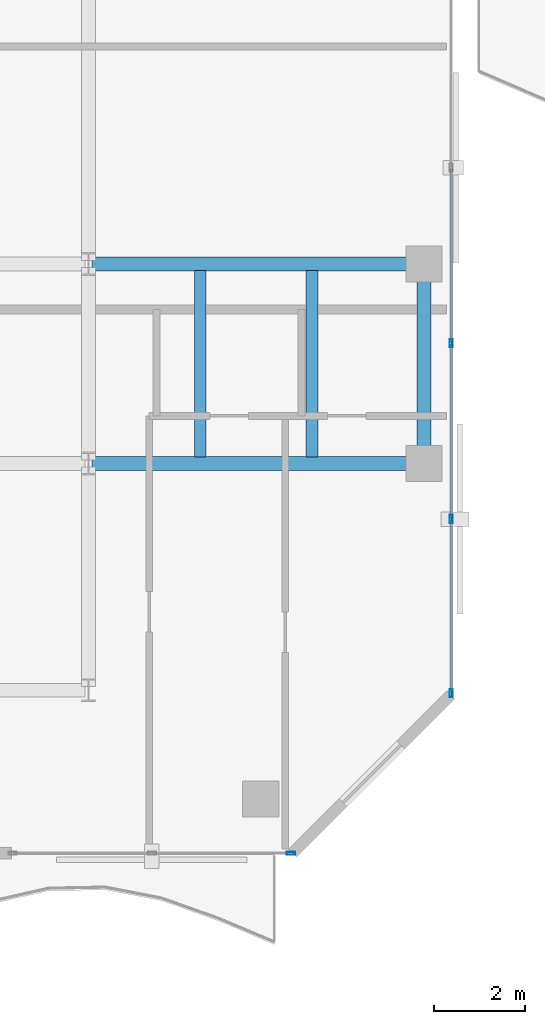
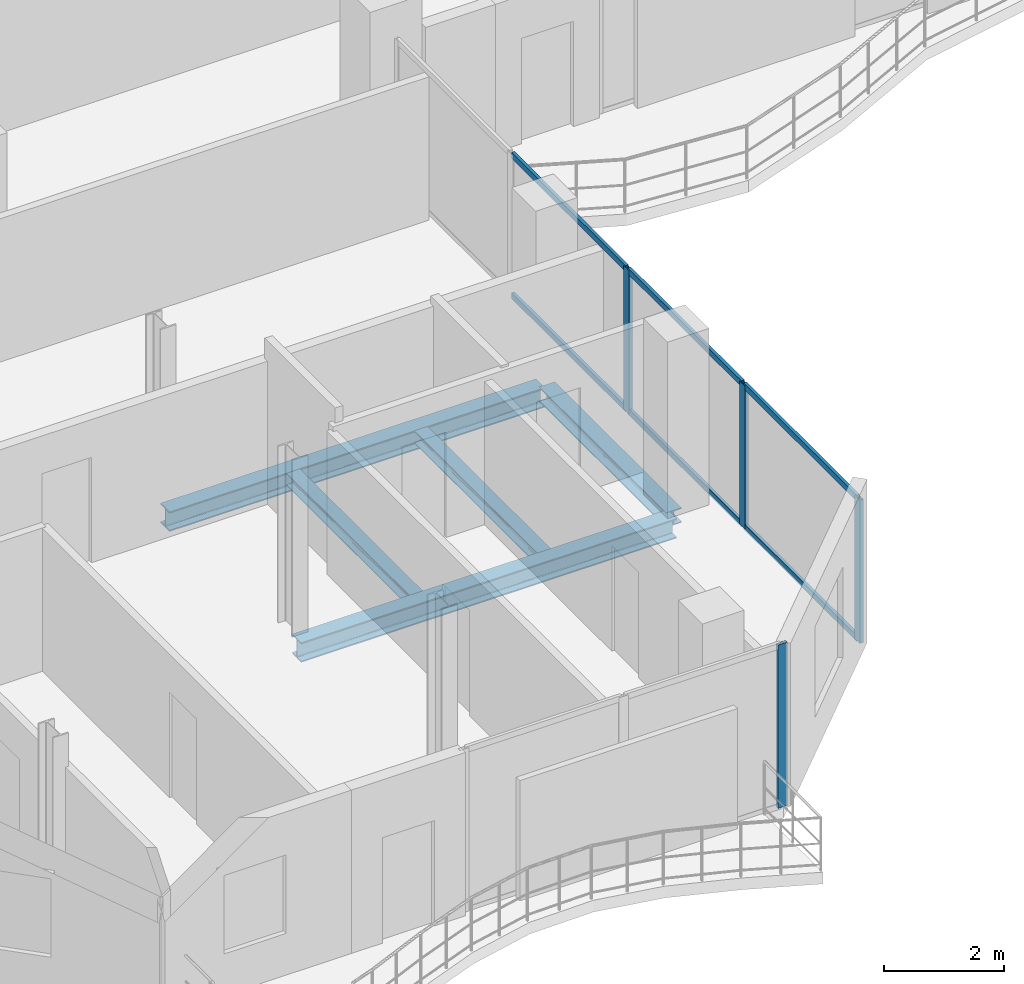
# One storey, part 6 of 23: 10 members, 5 beams, 2 elements without a shape of their own.
"""IFC4 building model written with IfcOpenShell, lengths in metres."""

from ifc_helpers import new_model, si_unit, direction, frame, origin, origin_2d, place, context, subcontext, project, spatial, hollow_rectangle, i_section, extrude, material, layer, layer_set, material_profile, profile_set, type_object, element, aggregate, save


model = new_model("IFC4")

# Units and contexts
model_context = context("Model", 3, precision=1e-05, world=origin(), true_north=direction((0.0, 1.0)))
body_context = subcontext(model_context, "Body", "Model", "MODEL_VIEW")
ifc_project = project(units=[si_unit("LENGTHUNIT", "METRE"), si_unit("AREAUNIT", "SQUARE_METRE"), si_unit("VOLUMEUNIT", "CUBIC_METRE"), si_unit("PLANEANGLEUNIT", "RADIAN"), si_unit("MASSUNIT", "GRAM", prefix="KILO")], contexts=[model_context])

# Site, building, storey
site_placement = place(None, origin())
site = spatial("IfcSite", under=ifc_project, at=site_placement, CompositionType="ELEMENT")
building_placement = place(site_placement, origin())
building = spatial("IfcBuilding", under=site, at=building_placement, Name="Catumbela Crestline Tower", CompositionType="ELEMENT")
storey_placement = place(building_placement, frame((0.0, 0.0, 190.2)))
storey = spatial("IfcBuildingStorey", under=building, at=storey_placement, Name="L49", CompositionType="ELEMENT", Elevation=190.2)

# Beams
ifc_material_1 = material(Name="Structural steel S355J2", Category="steel")
ifc_material_profile_1 = material_profile(ifc_material_1, i_section(OverallWidth=0.3, OverallDepth=0.4, WebThickness=0.0135, FlangeThickness=0.024, FilletRadius=0.027, at=origin_2d()), Name="HEB 400")
ifc_profile_set_1 = profile_set([ifc_material_profile_1], Name="Structural steel S355J2")
beam_type_1 = type_object("IfcBeamType", Name="BG-HEB400", PredefinedType="BEAM", material=ifc_profile_set_1)
for number, where, z_axis, x_axis, name in (
    (1, (16.08, 13.6, -0.46), (1.0, 0.0, 0.0), (0.0, 1.0, 0.0), "L49 Beam BM-L49-WEW34"),
    (2, (16.08, 18.0, -0.46), (1.0, 0.0, 0.0), (0.0, 1.0, 0.0), "L49 Beam BM-L49-WEW36"),
):
    element("IfcBeam", number, at=place(storey_placement, frame(where, z_axis=z_axis, x_axis=x_axis)), inside=storey, type_object=beam_type_1, Name=name, PredefinedType="BEAM", context=body_context, shape_type="SweptSolid", body=[
        extrude(i_section(OverallWidth=0.3, OverallDepth=0.4, WebThickness=0.0135, FlangeThickness=0.024, FilletRadius=0.027, at=origin_2d()), origin(), (0.0, 0.0, 1.0), 7.24),
    ])
ifc_material_profile_2 = material_profile(ifc_material_1, i_section(OverallWidth=0.26, OverallDepth=0.25, WebThickness=0.0075, FlangeThickness=0.0125, FilletRadius=0.024, at=origin_2d()), Name="HEA 260")
ifc_profile_set_2 = profile_set([ifc_material_profile_2], Name="Structural steel S355J2")
beam_type_2 = type_object("IfcBeamType", Name="BJ-HEA260", PredefinedType="JOIST", material=ifc_profile_set_2)
for number, where, z_axis, x_axis, name in (
    (3, (18.467, 13.747, -0.385), (0.0, 1.0, 0.0), (-1.0, 0.0, 0.0), "L49 Joist JS-L49-WG48"),
    (4, (20.933, 13.747, -0.385), (0.0, 1.0, 0.0), (-1.0, 0.0, 0.0), "L49 Joist JS-L49-WG49"),
):
    element("IfcBeam", number, at=place(storey_placement, frame(where, z_axis=z_axis, x_axis=x_axis)), inside=storey, type_object=beam_type_2, Name=name, PredefinedType="JOIST", context=body_context, shape_type="SweptSolid", body=[
        extrude(i_section(OverallWidth=0.26, OverallDepth=0.25, WebThickness=0.0075, FlangeThickness=0.0125, FilletRadius=0.024, at=origin_2d()), origin(), (0.0, 0.0, 1.0), 4.106),
    ])

# Curtain wall, member
ifc_material_2 = material(Name="Aluminium alloy AW-6060-T66", Category="aluminium")
ifc_layer = layer(ifc_material_2, 0.18, Name="Aluminium alloy AW-6060-T66")
ifc_layer_set = layer_set([ifc_layer], Name="Aluminium alloy AW-6060-T66")
curtain_wall_type = type_object("IfcCurtainWallType", Name="CWU-Z3", PredefinedType="USERDEFINED", material=ifc_layer_set)
curtain_wall_1_placement = place(storey_placement, origin())
curtain_wall_1 = element("IfcCurtainWall", 5, at=curtain_wall_1_placement, inside=storey, type_object=curtain_wall_type, Name="L49 Unitised Curtain Wall CW-L49-E0S2", ObjectType="UNITISED", PredefinedType="USERDEFINED")
ifc_material_profile_3 = material_profile(ifc_material_2, hollow_rectangle(XDim=0.065, YDim=0.18, WallThickness=0.004, at=origin_2d()), Name="ALU 180x65x4")
ifc_profile_set_3 = profile_set([ifc_material_profile_3], Name="Aluminium alloy AW-6060-T66")
member_type_1 = type_object("IfcMemberType", Name="MUL-180X65", PredefinedType="MULLION", material=ifc_profile_set_3)
member_1_placement = place(storey_placement, frame((20.4675, 5.0, 0.0), z_axis=(0.0, 0.0, 1.0), x_axis=(0.0, 1.0, 0.0)))
member_1 = element("IfcMember", 6, at=member_1_placement, type_object=member_type_1, Name="CWU-Z3 mullion 3", PredefinedType="MULLION", context=body_context, shape_type="SweptSolid", body=[
    extrude(hollow_rectangle(XDim=0.065, YDim=0.18, WallThickness=0.004, at=origin_2d()), origin(), (0.0, 0.0, 1.0), 3.33),
])
aggregate(curtain_wall_1, [member_1])

# Curtain wall, members
curtain_wall_2_placement = place(storey_placement, origin())
curtain_wall_2 = element("IfcCurtainWall", 7, at=curtain_wall_2_placement, inside=storey, type_object=curtain_wall_type, Name="L49 Unitised Curtain Wall CW-L49-E2S1", ObjectType="UNITISED", PredefinedType="USERDEFINED")
member_2_placement = place(storey_placement, frame((24.0, 8.5325, 0.0), z_axis=(0.0, 0.0, 1.0), x_axis=(-1.0, 0.0, 0.0)))
member_2 = element("IfcMember", 8, at=member_2_placement, type_object=member_type_1, Name="CWU-Z3 mullion 1", PredefinedType="MULLION", context=body_context, shape_type="SweptSolid", body=[
    extrude(hollow_rectangle(XDim=0.065, YDim=0.18, WallThickness=0.004, at=origin_2d()), origin(), (0.0, 0.0, 1.0), 2.92),
])
member_3_placement = place(storey_placement, frame((24.0, 12.375, 0.0), z_axis=(0.0, 0.0, 1.0), x_axis=(-1.0, 0.0, 0.0)))
member_3 = element("IfcMember", 9, at=member_3_placement, type_object=member_type_1, Name="CWU-Z3 mullion 2", PredefinedType="MULLION", context=body_context, shape_type="SweptSolid", body=[
    extrude(hollow_rectangle(XDim=0.065, YDim=0.18, WallThickness=0.004, at=origin_2d()), origin(), (0.0, 0.0, 1.0), 2.92),
])
member_4_placement = place(storey_placement, frame((24.0, 16.25, 0.0), z_axis=(0.0, 0.0, 1.0), x_axis=(-1.0, 0.0, 0.0)))
member_4 = element("IfcMember", 10, at=member_4_placement, type_object=member_type_1, Name="CWU-Z3 mullion 3", PredefinedType="MULLION", context=body_context, shape_type="SweptSolid", body=[
    extrude(hollow_rectangle(XDim=0.065, YDim=0.18, WallThickness=0.004, at=origin_2d()), origin(), (0.0, 0.0, 1.0), 2.92),
])

# Beam
ifc_material_profile_4 = material_profile(ifc_material_1, i_section(OverallWidth=0.3, OverallDepth=0.3, WebThickness=0.011, FlangeThickness=0.019, FilletRadius=0.027, at=origin_2d()), Name="HEB 300")
ifc_profile_set_4 = profile_set([ifc_material_profile_4], Name="Structural steel S355J2")
beam_type_3 = type_object("IfcBeamType", Name="BS-HEB300", PredefinedType="SPANDREL", material=ifc_profile_set_4)
beam_placement = place(storey_placement, frame((23.4, 13.68, -0.41), z_axis=(0.0, 1.0, 0.0), x_axis=(-1.0, 0.0, 0.0)))
element("IfcBeam", 11, at=beam_placement, inside=storey, type_object=beam_type_3, Name="L49 Spandrel SP-L49-WNS43", PredefinedType="SPANDREL", context=body_context, shape_type="SweptSolid", body=[
    extrude(i_section(OverallWidth=0.3, OverallDepth=0.3, WebThickness=0.011, FlangeThickness=0.019, FilletRadius=0.027, at=origin_2d()), origin(), (0.0, 0.0, 1.0), 4.24),
])

# Member
ifc_material_profile_5 = material_profile(ifc_material_2, hollow_rectangle(XDim=0.06, YDim=0.12, WallThickness=0.0035, at=origin_2d()), Name="ALU 120x60x3.5")
ifc_profile_set_5 = profile_set([ifc_material_profile_5], Name="Aluminium alloy AW-6060-T66")
member_type_2 = type_object("IfcMemberType", Name="TRN-120X60", PredefinedType="USERDEFINED", material=ifc_profile_set_5)
member_5_placement = place(storey_placement, frame((24.0, 8.565, 0.03), z_axis=(0.0, 1.0, 0.0), x_axis=(-1.0, 0.0, 0.0)))
member_5 = element("IfcMember", 12, at=member_5_placement, type_object=member_type_2, Name="CWU-Z3 transom 1.1", ObjectType="TRANSOM", PredefinedType="USERDEFINED", context=body_context, shape_type="SweptSolid", body=[
    extrude(hollow_rectangle(XDim=0.06, YDim=0.12, WallThickness=0.0035, at=origin_2d()), origin(), (0.0, 0.0, 1.0), 3.7775),
])

member_6_placement = place(storey_placement, frame((24.0, 8.565, 2.89), z_axis=(0.0, 1.0, 0.0), x_axis=(-1.0, 0.0, 0.0)))
member_6 = element("IfcMember", 13, at=member_6_placement, type_object=member_type_2, Name="CWU-Z3 transom 1.2", ObjectType="TRANSOM", PredefinedType="USERDEFINED", context=body_context, shape_type="SweptSolid", body=[
    extrude(hollow_rectangle(XDim=0.06, YDim=0.12, WallThickness=0.0035, at=origin_2d()), origin(), (0.0, 0.0, 1.0), 3.7775),
])

member_7_placement = place(storey_placement, frame((24.0, 12.4075, 0.03), z_axis=(0.0, 1.0, 0.0), x_axis=(-1.0, 0.0, 0.0)))
member_7 = element("IfcMember", 14, at=member_7_placement, type_object=member_type_2, Name="CWU-Z3 transom 2.1", ObjectType="TRANSOM", PredefinedType="USERDEFINED", context=body_context, shape_type="SweptSolid", body=[
    extrude(hollow_rectangle(XDim=0.06, YDim=0.12, WallThickness=0.0035, at=origin_2d()), origin(), (0.0, 0.0, 1.0), 3.81),
])

member_8_placement = place(storey_placement, frame((24.0, 12.4075, 2.89), z_axis=(0.0, 1.0, 0.0), x_axis=(-1.0, 0.0, 0.0)))
member_8 = element("IfcMember", 15, at=member_8_placement, type_object=member_type_2, Name="CWU-Z3 transom 2.2", ObjectType="TRANSOM", PredefinedType="USERDEFINED", context=body_context, shape_type="SweptSolid", body=[
    extrude(hollow_rectangle(XDim=0.06, YDim=0.12, WallThickness=0.0035, at=origin_2d()), origin(), (0.0, 0.0, 1.0), 3.81),
])

member_9_placement = place(storey_placement, frame((24.0, 16.2825, 0.03), z_axis=(0.0, 1.0, 0.0), x_axis=(-1.0, 0.0, 0.0)))
member_9 = element("IfcMember", 16, at=member_9_placement, type_object=member_type_2, Name="CWU-Z3 transom 3.1", ObjectType="TRANSOM", PredefinedType="USERDEFINED", context=body_context, shape_type="SweptSolid", body=[
    extrude(hollow_rectangle(XDim=0.06, YDim=0.12, WallThickness=0.0035, at=origin_2d()), origin(), (0.0, 0.0, 1.0), 3.81),
])

member_10_placement = place(storey_placement, frame((24.0, 16.2825, 2.89), z_axis=(0.0, 1.0, 0.0), x_axis=(-1.0, 0.0, 0.0)))
member_10 = element("IfcMember", 17, at=member_10_placement, type_object=member_type_2, Name="CWU-Z3 transom 3.2", ObjectType="TRANSOM", PredefinedType="USERDEFINED", context=body_context, shape_type="SweptSolid", body=[
    extrude(hollow_rectangle(XDim=0.06, YDim=0.12, WallThickness=0.0035, at=origin_2d()), origin(), (0.0, 0.0, 1.0), 3.81),
])

aggregate(curtain_wall_2, [member_2, member_3, member_4, member_5, member_6, member_7, member_8, member_9, member_10])

save(model, "model.ifc")
